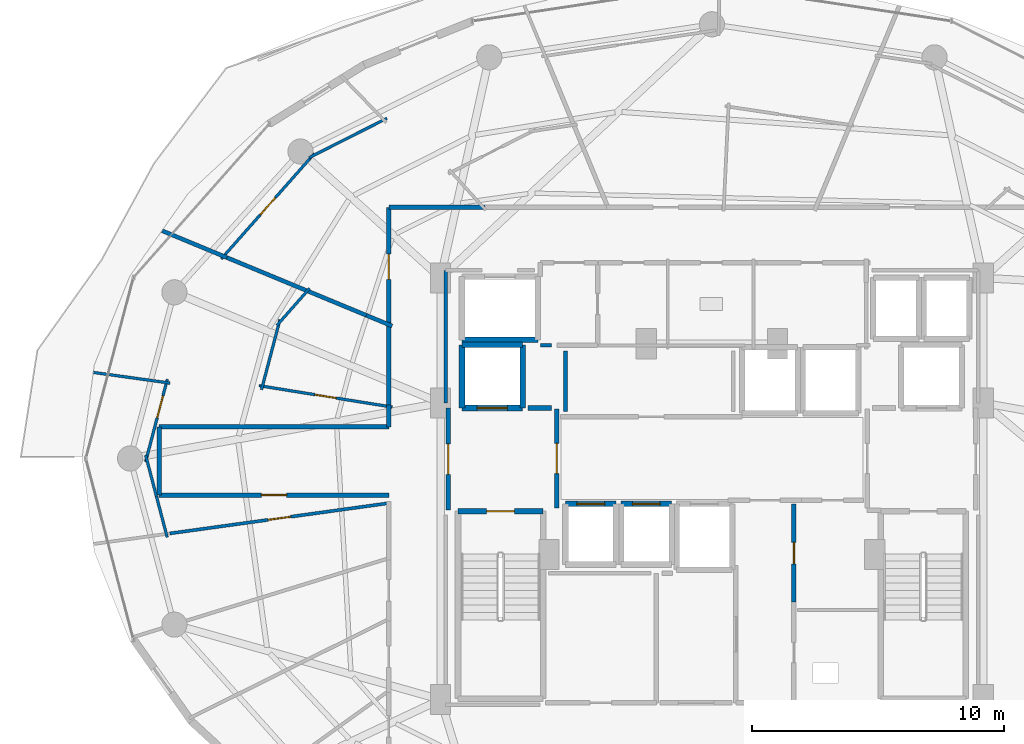
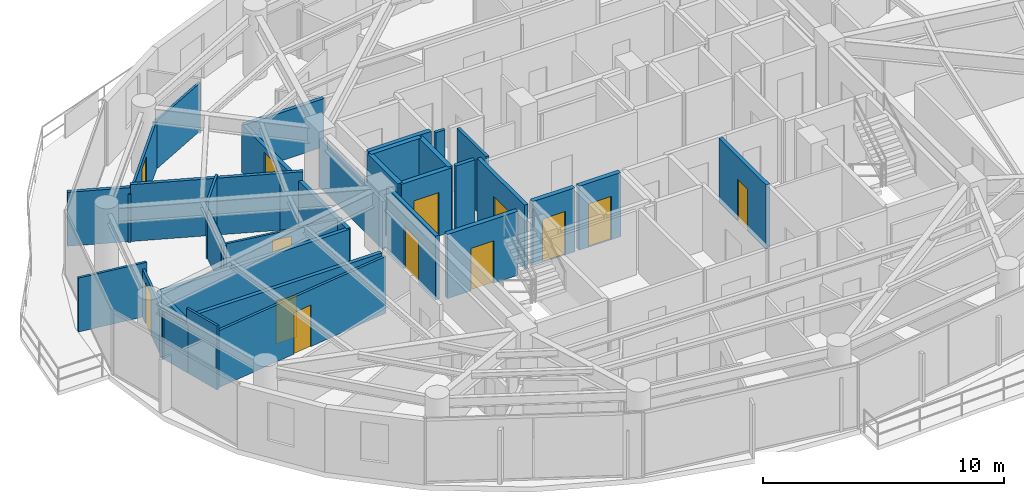
# One storey, part 22 of 29: 35 walls, 13 doors, 13 openings.
"""IFC4 building model written with IfcOpenShell, lengths in metres."""

from ifc_helpers import new_model, si_unit, direction, frame, frame_2d, origin, place, context, subcontext, project, spatial, rectangle, extrude, material, layer, layer_set, type_object, element, fill, save


model = new_model("IFC4")

# Units and contexts
model_context = context("Model", 3, precision=1e-05, world=origin(), true_north=direction((0.0, 1.0)))
body_context = subcontext(model_context, "Body", "Model", "MODEL_VIEW")
ifc_project = project(units=[si_unit("LENGTHUNIT", "METRE"), si_unit("AREAUNIT", "SQUARE_METRE"), si_unit("VOLUMEUNIT", "CUBIC_METRE"), si_unit("PLANEANGLEUNIT", "RADIAN"), si_unit("MASSUNIT", "GRAM", prefix="KILO")], contexts=[model_context])

# Site, building, storey
site_placement = place(None, origin())
site = spatial("IfcSite", under=ifc_project, at=site_placement, CompositionType="ELEMENT")
building_placement = place(site_placement, origin())
building = spatial("IfcBuilding", under=site, at=building_placement, Name="Vorneva Point Tower", CompositionType="ELEMENT")
storey_placement = place(building_placement, frame((0.0, 0.0, 167.60009765625)))
storey = spatial("IfcBuildingStorey", under=building, at=storey_placement, Name="L45", CompositionType="ELEMENT", Elevation=167.60009765625)

# Wall, opening, door
ifc_material_1 = material(Name="Concrete B60 (C50/60)", Category="concrete")
ifc_layer_1 = layer(ifc_material_1, 0.5)
ifc_layer_set_1 = layer_set([ifc_layer_1], Name="Concrete B60 (C50/60)")
wall_type_1 = type_object("IfcWallType", Name="WL-CORE-500", PredefinedType="SHEAR", material=ifc_layer_set_1)
wall_1_placement = place(storey_placement, frame((28.10009765625, 28.0, 0.0), z_axis=(0.0, 0.0, 1.0), x_axis=(1.0, 0.0, 0.0)))
wall_1 = element("IfcWall", 1, at=wall_1_placement, inside=storey, type_object=wall_type_1, Name="L45 Lift FFL1 Shaft Wall -Y", PredefinedType="SHEAR", context=body_context, shape_type="SweptSolid", body=[
    extrude(rectangle(XDim=2.39990234375, YDim=0.219970703125, at=frame_2d((1.199951171875, 0.0))), origin(), (0.0, 0.0, 1.0), 3.239990234375),
])
opening_1_placement = place(wall_1_placement, frame((0.60009765625, 0.0, 0.0)))
opening_1 = element("IfcOpeningElement", 2, at=opening_1_placement, cuts=wall_1, Name="Opening LD-02", PredefinedType="OPENING", context=body_context, shape_type="SweptSolid", body=[
    extrude(rectangle(XDim=1.199951171875, YDim=2.199951171875, at=frame_2d((0.60009765625, 1.10009765625))), frame((0.0, 0.125, 0.0), z_axis=(0.0, -1.0, 0.0), x_axis=(1.0, 0.0, 0.0)), (0.0, 0.0, 1.0), 0.249755859375),
])
ifc_material_2 = material(Name="Brushed stainless steel S304", Category="steel")
door_type_1 = type_object("IfcDoorType", Name="LD-FIRE-1200", OperationType="SLIDING_TO_LEFT", PredefinedType="DOOR", material=ifc_material_2)
door_1_placement = place(opening_1_placement, origin())
door_1 = element("IfcDoor", 3, at=door_1_placement, inside=storey, type_object=door_type_1, Name="L45 Lift FFL1 Sliding Landing Door", OperationType="SLIDING_TO_LEFT", OverallHeight=2.199951171875, OverallWidth=1.199951171875, PredefinedType="DOOR", context=body_context, shape_type="SweptSolid", body=[
    extrude(rectangle(XDim=1.199951171875, YDim=2.199951171875, at=frame_2d((0.60009765625, 1.10009765625))), frame((0.0, 0.02490234375, 0.0), z_axis=(0.0, -1.0, 0.0), x_axis=(1.0, 0.0, 0.0)), (0.0, 0.0, 1.0), 0.050048828125),
])
fill(opening_1, door_1)

# Walls
wall_2_placement = place(storey_placement, frame((30.5, 28.0, 0.0), z_axis=(0.0, 0.0, 1.0), x_axis=(0.0, 1.0, 0.0)))
element("IfcWall", 4, at=wall_2_placement, inside=storey, type_object=wall_type_1, Name="L45 Lift FFL1 Shaft Wall +X", PredefinedType="SHEAR", context=body_context, shape_type="SweptSolid", body=[
    extrude(rectangle(XDim=2.5, YDim=0.219970703125, at=frame_2d((1.25, 0.0))), origin(), (0.0, 0.0, 1.0), 3.239990234375),
])
wall_3_placement = place(storey_placement, frame((30.5, 30.5, 0.0), z_axis=(0.0, 0.0, 1.0), x_axis=(-1.0, 0.0, 0.0)))
element("IfcWall", 5, at=wall_3_placement, inside=storey, type_object=wall_type_1, Name="L45 Lift FFL1 Shaft Wall +Y", PredefinedType="SHEAR", context=body_context, shape_type="SweptSolid", body=[
    extrude(rectangle(XDim=2.39990234375, YDim=0.219970703125, at=frame_2d((1.199951171875, 0.0))), origin(), (0.0, 0.0, 1.0), 3.239990234375),
])
wall_4_placement = place(storey_placement, frame((28.10009765625, 30.5, 0.0), z_axis=(0.0, 0.0, 1.0), x_axis=(0.0, -1.0, 0.0)))
element("IfcWall", 6, at=wall_4_placement, inside=storey, type_object=wall_type_1, Name="L45 Lift FFL1 Shaft Wall -X", PredefinedType="SHEAR", context=body_context, shape_type="SweptSolid", body=[
    extrude(rectangle(XDim=2.5, YDim=0.219970703125, at=frame_2d((1.25, 0.0))), origin(), (0.0, 0.0, 1.0), 3.239990234375),
])
ifc_material_3 = material(Name="Fire-rated acoustic gypsum stud partition", Category="gypsum")
ifc_layer_2 = layer(ifc_material_3, 0.110107421875)
ifc_layer_set_2 = layer_set([ifc_layer_2], Name="Fire-rated acoustic gypsum stud partition")
wall_type_2 = type_object("IfcWallType", Name="WL-PART-110", PredefinedType="PARTITIONING", material=ifc_layer_set_2)
wall_5_placement = place(storey_placement, frame((25.1259765625, 39.477294921875, 0.0), z_axis=(0.0, 0.0, 1.0), x_axis=(-0.892387252946, -0.451270418683, 0.0)))
element("IfcWall", 7, at=wall_5_placement, inside=storey, type_object=wall_type_2, Name="L45 Interior Partition 081", PredefinedType="PARTITIONING", context=body_context, shape_type="SweptSolid", body=[
    extrude(rectangle(XDim=3.46240234375, YDim=0.110107421875, at=frame_2d((1.731201171875, 0.0))), origin(), (0.0, 0.0, 1.0), 2.431884765625),
])

# Wall, opening, door
wall_6_placement = place(storey_placement, frame((22.253662109375, 38.0830078125, 0.0), z_axis=(0.0, 0.0, 1.0), x_axis=(-0.66219665239, -0.749330096529, 0.0)))
wall_6 = element("IfcWall", 8, at=wall_6_placement, inside=storey, type_object=wall_type_2, Name="L45 Interior Partition 082", PredefinedType="PARTITIONING", context=body_context, shape_type="SweptSolid", body=[
    extrude(rectangle(XDim=5.572998046875, YDim=0.110107421875, at=frame_2d((2.78662109375, 0.0))), origin(), (0.0, 0.0, 1.0), 2.431884765625),
])
opening_2_placement = place(wall_6_placement, frame((2.33642578125, 0.0, 0.0)))
opening_2 = element("IfcOpeningElement", 9, at=opening_2_placement, cuts=wall_6, Name="Opening ID-01", PredefinedType="OPENING", context=body_context, shape_type="SweptSolid", body=[
    extrude(rectangle(XDim=0.89990234375, YDim=2.10009765625, at=frame_2d((0.449951171875, 1.050048828125))), frame((0.0, 0.06982421875, 0.0), z_axis=(0.0, -1.0, 0.0), x_axis=(1.0, 0.0, 0.0)), (0.0, 0.0, 1.0), 0.139892578125),
])
ifc_material_4 = material(Name="Engineered oak fire-rated door leaf", Category="wood")
door_type_2 = type_object("IfcDoorType", Name="DR-ROOM-900", OperationType="NOTDEFINED", PredefinedType="DOOR", material=ifc_material_4)
door_2_placement = place(opening_2_placement, origin())
door_2 = element("IfcDoor", 10, at=door_2_placement, inside=storey, type_object=door_type_2, Name="L45 Door Studio Apartment L45-03 / Kitchen L45-03", OperationType="SINGLE_SWING_RIGHT", OverallHeight=2.10009765625, OverallWidth=0.89990234375, PredefinedType="DOOR", context=body_context, shape_type="SweptSolid", body=[
    extrude(rectangle(XDim=0.89990234375, YDim=2.10009765625, at=frame_2d((0.449951171875, 1.050048828125))), frame((0.0, 0.02490234375, 0.0), z_axis=(0.0, -1.0, 0.0), x_axis=(1.0, 0.0, 0.0)), (0.0, 0.0, 1.0), 0.050048828125),
])
fill(opening_2, door_2)

wall_7_placement = place(storey_placement, frame((25.338134765625, 28.035888671875, 0.0), z_axis=(0.0, 0.0, 1.0), x_axis=(-0.987323350325, 0.158721775139, 0.0)))
wall_7 = element("IfcWall", 11, at=wall_7_placement, inside=storey, type_object=wall_type_2, Name="L45 Interior Partition 086", PredefinedType="PARTITIONING", context=body_context, shape_type="SweptSolid", body=[
    extrude(rectangle(XDim=5.351318359375, YDim=0.110107421875, at=frame_2d((2.67578125, 0.0))), origin(), (0.0, 0.0, 1.0), 2.431884765625),
])
opening_3_placement = place(wall_7_placement, frame((2.25048828125, 0.0, 0.0)))
opening_3 = element("IfcOpeningElement", 12, at=opening_3_placement, cuts=wall_7, Name="Opening ID-02", PredefinedType="OPENING", context=body_context, shape_type="SweptSolid", body=[
    extrude(rectangle(XDim=0.85009765625, YDim=2.10009765625, at=frame_2d((0.425048828125, 1.050048828125))), frame((0.0, 0.06982421875, 0.0), z_axis=(0.0, -1.0, 0.0), x_axis=(1.0, 0.0, 0.0)), (0.0, 0.0, 1.0), 0.139892578125),
])
door_type_3 = type_object("IfcDoorType", Name="DR-BATH-850", OperationType="NOTDEFINED", PredefinedType="DOOR", material=ifc_material_4)
door_3_placement = place(opening_3_placement, origin())
door_3 = element("IfcDoor", 13, at=door_3_placement, inside=storey, type_object=door_type_3, Name="L45 Door Living and Dining Room L45-04 / Bathroom L45-04", OperationType="SINGLE_SWING_LEFT", OverallHeight=2.10009765625, OverallWidth=0.85009765625, PredefinedType="DOOR", context=body_context, shape_type="SweptSolid", body=[
    extrude(rectangle(XDim=0.85009765625, YDim=2.10009765625, at=frame_2d((0.425048828125, 1.050048828125))), frame((0.0, 0.02490234375, 0.0), z_axis=(0.0, -1.0, 0.0), x_axis=(1.0, 0.0, 0.0)), (0.0, 0.0, 1.0), 0.050048828125),
])
fill(opening_3, door_3)

# Walls
wall_8_placement = place(storey_placement, frame((20.157470703125, 28.7275390625, 0.0), z_axis=(0.0, 0.0, 1.0), x_axis=(0.254472387963, 0.967080039999, 0.0)))
element("IfcWall", 14, at=wall_8_placement, inside=storey, type_object=wall_type_2, Name="L45 Interior Partition 087", PredefinedType="PARTITIONING", context=body_context, shape_type="SweptSolid", body=[
    extrude(rectangle(XDim=2.873291015625, YDim=0.110107421875, at=frame_2d((1.4365234375, 0.0))), origin(), (0.0, 0.0, 1.0), 2.431884765625),
])
wall_9_placement = place(storey_placement, frame((20.76025390625, 31.26611328125, 0.0), z_axis=(0.0, 0.0, 1.0), x_axis=(0.662014950831, 0.749490630279, 0.0)))
element("IfcWall", 15, at=wall_9_placement, inside=storey, type_object=wall_type_2, Name="L45 Interior Partition 088", PredefinedType="PARTITIONING", context=body_context, shape_type="SweptSolid", body=[
    extrude(rectangle(XDim=1.970458984375, YDim=0.110107421875, at=frame_2d((0.9853515625, 0.0))), origin(), (0.0, 0.0, 1.0), 2.928955078125),
])

# Wall, opening, door
wall_10_placement = place(storey_placement, frame((16.426513671875, 29.141357421875, 0.0), z_axis=(0.0, 0.0, 1.0), x_axis=(-0.254418818964, -0.967094134279, 0.0)))
wall_10 = element("IfcWall", 16, at=wall_10_placement, inside=storey, type_object=wall_type_2, Name="L45 Interior Partition 089", PredefinedType="PARTITIONING", context=body_context, shape_type="SweptSolid", body=[
    extrude(rectangle(XDim=3.388427734375, YDim=0.110107421875, at=frame_2d((1.6943359375, 0.0))), origin(), (0.0, 0.0, 1.0), 2.431884765625),
])
opening_4_placement = place(wall_10_placement, frame((0.68408203125, 0.0, 0.0)))
opening_4 = element("IfcOpeningElement", 17, at=opening_4_placement, cuts=wall_10, Name="Opening ID-01", PredefinedType="OPENING", context=body_context, shape_type="SweptSolid", body=[
    extrude(rectangle(XDim=0.89990234375, YDim=2.10009765625, at=frame_2d((0.449951171875, 1.050048828125))), frame((0.0, 0.06982421875, 0.0), z_axis=(0.0, -1.0, 0.0), x_axis=(1.0, 0.0, 0.0)), (0.0, 0.0, 1.0), 0.139892578125),
])
door_4_placement = place(opening_4_placement, origin())
door_4 = element("IfcDoor", 18, at=door_4_placement, inside=storey, type_object=door_type_2, Name="L45 Door Living and Dining Room L45-04 / Kitchen L45-04", OperationType="SINGLE_SWING_RIGHT", OverallHeight=2.10009765625, OverallWidth=0.89990234375, PredefinedType="DOOR", context=body_context, shape_type="SweptSolid", body=[
    extrude(rectangle(XDim=0.89990234375, YDim=2.10009765625, at=frame_2d((0.449951171875, 1.050048828125))), frame((0.0, 0.02490234375, 0.0), z_axis=(0.0, -1.0, 0.0), x_axis=(1.0, 0.0, 0.0)), (0.0, 0.0, 1.0), 0.050048828125),
])
fill(opening_4, door_4)

# Walls
wall_11_placement = place(storey_placement, frame((15.564453125, 26.135498046875, 0.0), z_axis=(0.0, 0.0, 1.0), x_axis=(0.254207281438, -0.967149759894, 0.0)))
element("IfcWall", 19, at=wall_11_placement, inside=storey, type_object=wall_type_2, Name="L45 Interior Partition 090", PredefinedType="PARTITIONING", context=body_context, shape_type="SweptSolid", body=[
    extrude(rectangle(XDim=1.6806640625, YDim=0.110107421875, at=frame_2d((0.84033203125, 0.0))), origin(), (0.0, 0.0, 1.0), 2.431884765625),
])
wall_12_placement = place(storey_placement, frame((15.96484375, 24.61279296875, 0.0), z_axis=(0.0, 0.0, 1.0), x_axis=(0.254285908831, -0.96712908992, 0.0)))
element("IfcWall", 20, at=wall_12_placement, inside=storey, type_object=wall_type_2, Name="L45 Interior Partition 091", PredefinedType="PARTITIONING", context=body_context, shape_type="SweptSolid", body=[
    extrude(rectangle(XDim=1.79638671875, YDim=0.110107421875, at=frame_2d((0.898193359375, 0.0))), origin(), (0.0, 0.0, 1.0), 3.239990234375),
])
wall_13_placement = place(storey_placement, frame((13.50341796875, 29.408203125, 0.0), z_axis=(0.0, 0.0, 1.0), x_axis=(0.990445036815, -0.137908045623, 0.0)))
element("IfcWall", 21, at=wall_13_placement, inside=storey, type_object=wall_type_2, Name="L45 Interior Partition 093", PredefinedType="PARTITIONING", context=body_context, shape_type="SweptSolid", body=[
    extrude(rectangle(XDim=3.0556640625, YDim=0.110107421875, at=frame_2d((1.52783203125, 0.0))), origin(), (0.0, 0.0, 1.0), 2.727783203125),
])

# Wall, opening, door
ifc_layer_3 = layer(ifc_material_3, 0.125)
ifc_layer_set_3 = layer_set([ifc_layer_3], Name="Fire-rated acoustic gypsum stud partition")
wall_type_3 = type_object("IfcWallType", Name="WL-PART-125", PredefinedType="PARTITIONING", material=ifc_layer_set_3)
wall_14_placement = place(storey_placement, frame((16.524658203125, 23.030029296875, 0.0), z_axis=(0.0, 0.0, 1.0), x_axis=(0.990569142752, 0.137013770941, 0.0)))
wall_14 = element("IfcWall", 22, at=wall_14_placement, inside=storey, type_object=wall_type_3, Name="L45 Interior Partition 094", PredefinedType="PARTITIONING", context=body_context, shape_type="SweptSolid", body=[
    extrude(rectangle(XDim=8.7578125, YDim=0.125, at=frame_2d((4.37890625, 0.0))), origin(), (0.0, 0.0, 1.0), 2.8740234375),
])
opening_5_placement = place(wall_14_placement, frame((3.928955078125, 0.0, 0.0)))
opening_5 = element("IfcOpeningElement", 23, at=opening_5_placement, cuts=wall_14, Name="Opening ID-01", PredefinedType="OPENING", context=body_context, shape_type="SweptSolid", body=[
    extrude(rectangle(XDim=0.89990234375, YDim=2.10009765625, at=frame_2d((0.449951171875, 1.050048828125))), frame((0.0, 0.077392578125, 0.0), z_axis=(0.0, -1.0, 0.0), x_axis=(1.0, 0.0, 0.0)), (0.0, 0.0, 1.0), 0.15478515625),
])
door_5_placement = place(opening_5_placement, origin())
door_5 = element("IfcDoor", 24, at=door_5_placement, inside=storey, type_object=door_type_2, Name="L45 Door Living and Dining Room L45-04 / Master Bedroom L45-04.1", OperationType="SINGLE_SWING_LEFT", OverallHeight=2.10009765625, OverallWidth=0.89990234375, PredefinedType="DOOR", context=body_context, shape_type="SweptSolid", body=[
    extrude(rectangle(XDim=0.89990234375, YDim=2.10009765625, at=frame_2d((0.449951171875, 1.050048828125))), frame((0.0, 0.02490234375, 0.0), z_axis=(0.0, -1.0, 0.0), x_axis=(1.0, 0.0, 0.0)), (0.0, 0.0, 1.0), 0.050048828125),
])
fill(opening_5, door_5)

# Walls
ifc_layer_4 = layer(ifc_material_3, 0.139892578125)
ifc_layer_set_4 = layer_set([ifc_layer_4], Name="Fire-rated acoustic gypsum stud partition")
wall_type_4 = type_object("IfcWallType", Name="WL-PART-140", PredefinedType="PARTITIONING", material=ifc_layer_set_4)
wall_15_placement = place(storey_placement, frame((31.199951171875, 30.47998046875, 0.0), z_axis=(0.0, 0.0, 1.0), x_axis=(1.0, 0.0, 0.0)))
element("IfcWall", 25, at=wall_15_placement, inside=storey, type_object=wall_type_4, Name="L45 Interior Closure Partition 114", PredefinedType="PARTITIONING", context=body_context, shape_type="SweptSolid", body=[
    extrude(rectangle(XDim=0.449951171875, YDim=0.139892578125, at=frame_2d((0.22509765625, 0.0))), origin(), (0.0, 0.0, 1.0), 3.239990234375),
])
wall_16_placement = place(storey_placement, frame((32.199951171875, 30.260009765625, 0.0), z_axis=(0.0, 0.0, 1.0), x_axis=(0.0, -1.0, 0.0)))
element("IfcWall", 26, at=wall_16_placement, inside=storey, type_object=wall_type_4, Name="L45 Interior Closure Partition 119", PredefinedType="PARTITIONING", context=body_context, shape_type="SweptSolid", body=[
    extrude(rectangle(XDim=2.389892578125, YDim=0.139892578125, at=frame_2d((1.19482421875, 0.0))), origin(), (0.0, 0.0, 1.0), 3.239990234375),
])
wall_17_placement = place(storey_placement, frame((27.449951171875, 33.449951171875, 0.0), z_axis=(0.0, 0.0, 1.0), x_axis=(0.0, -1.0, 0.0)))
element("IfcWall", 27, at=wall_17_placement, inside=storey, type_object=wall_type_4, Name="L45 Interior Closure Partition 126", PredefinedType="PARTITIONING", context=body_context, shape_type="SweptSolid", body=[
    extrude(rectangle(XDim=5.25390625, YDim=0.139892578125, at=frame_2d((2.626953125, 0.0))), origin(), (0.0, 0.0, 1.0), 2.431884765625),
])
ifc_layer_5 = layer(ifc_material_3, 0.159912109375)
ifc_layer_set_5 = layer_set([ifc_layer_5], Name="Fire-rated acoustic gypsum stud partition")
wall_type_5 = type_object("IfcWallType", Name="WL-PART-160", PredefinedType="PARTITIONING", material=ifc_layer_set_5)
wall_18_placement = place(storey_placement, frame((18.656005859375, 34.011962890625, 0.0), z_axis=(0.0, 0.0, 1.0), x_axis=(0.923899894496, -0.382634270486, 0.0)))
element("IfcWall", 28, at=wall_18_placement, inside=storey, type_object=wall_type_5, Name="L45 Interior Partition 083", PredefinedType="PARTITIONING", context=body_context, shape_type="SweptSolid", body=[
    extrude(rectangle(XDim=6.25927734375, YDim=0.159912109375, at=frame_2d((3.129638671875, 0.0))), origin(), (0.0, 0.0, 1.0), 2.8740234375),
])
wall_19_placement = place(storey_placement, frame((24.309814453125, 31.670654296875, 0.0), z_axis=(0.0, 0.0, 1.0), x_axis=(0.923860433634, -0.38272953788, 0.0)))
element("IfcWall", 29, at=wall_19_placement, inside=storey, type_object=wall_type_5, Name="L45 Interior Partition 084", PredefinedType="PARTITIONING", context=body_context, shape_type="SweptSolid", body=[
    extrude(rectangle(XDim=1.103515625, YDim=0.159912109375, at=frame_2d((0.5517578125, 0.0))), origin(), (0.0, 0.0, 1.0), 2.8740234375),
])
wall_20_placement = place(storey_placement, frame((16.2255859375, 35.0185546875, 0.0), z_axis=(0.0, 0.0, 1.0), x_axis=(0.923911593246, -0.382606021733, 0.0)))
element("IfcWall", 30, at=wall_20_placement, inside=storey, type_object=wall_type_5, Name="L45 Interior Partition 085", PredefinedType="PARTITIONING", context=body_context, shape_type="SweptSolid", body=[
    extrude(rectangle(XDim=2.7705078125, YDim=0.159912109375, at=frame_2d((1.38525390625, 0.0))), origin(), (0.0, 0.0, 1.0), 2.727783203125),
])

# Wall, opening, door
ifc_material_5 = material(Name="Autoclaved aerated concrete blockwork", Category="masonry")
ifc_layer_6 = layer(ifc_material_5, 0.179931640625)
ifc_layer_set_6 = layer_set([ifc_layer_6], Name="Autoclaved aerated concrete blockwork")
wall_type_6 = type_object("IfcWallType", Name="WL-PART-180", PredefinedType="PARTITIONING", material=ifc_layer_set_6)
wall_21_placement = place(storey_placement, frame((31.85009765625, 24.044921875, 0.0), z_axis=(0.0, 0.0, 1.0), x_axis=(0.0, 1.0, 0.0)))
wall_21 = element("IfcWall", 31, at=wall_21_placement, inside=storey, type_object=wall_type_6, Name="L45 Interior Partition 001", PredefinedType="PARTITIONING", context=body_context, shape_type="SweptSolid", body=[
    extrude(rectangle(XDim=3.91015625, YDim=0.179931640625, at=frame_2d((1.955078125, 0.0))), origin(), (0.0, 0.0, 1.0), 3.239990234375),
])
opening_6_placement = place(wall_21_placement, frame((1.35498046875, 0.0, 0.0)))
opening_6 = element("IfcOpeningElement", 32, at=opening_6_placement, cuts=wall_21, Name="Opening FD-02", PredefinedType="OPENING", context=body_context, shape_type="SweptSolid", body=[
    extrude(rectangle(XDim=1.199951171875, YDim=2.14990234375, at=frame_2d((0.60009765625, 1.074951171875))), frame((0.0, 0.10498046875, 0.0), z_axis=(0.0, -1.0, 0.0), x_axis=(1.0, 0.0, 0.0)), (0.0, 0.0, 1.0), 0.209716796875),
])
ifc_material_6 = material(Name="Fire-rated powder-coated steel", Category="steel")
door_type_4 = type_object("IfcDoorType", Name="DR-FFL-1200", OperationType="NOTDEFINED", PredefinedType="DOOR", material=ifc_material_6)
door_6_placement = place(opening_6_placement, origin())
door_6 = element("IfcDoor", 33, at=door_6_placement, inside=storey, type_object=door_type_4, Name="L45 Door West Firefighting Lobby / Central Lift Lobby", OperationType="SINGLE_SWING_RIGHT", OverallHeight=2.14990234375, OverallWidth=1.199951171875, PredefinedType="DOOR", context=body_context, shape_type="SweptSolid", body=[
    extrude(rectangle(XDim=1.199951171875, YDim=2.14990234375, at=frame_2d((0.60009765625, 1.074951171875))), frame((0.0, 0.02490234375, 0.0), z_axis=(0.0, -1.0, 0.0), x_axis=(1.0, 0.0, 0.0)), (0.0, 0.0, 1.0), 0.050048828125),
])
fill(opening_6, door_6)

wall_22_placement = place(storey_placement, frame((27.550048828125, 28.0, 0.0), z_axis=(0.0, 0.0, 1.0), x_axis=(0.0, -1.0, 0.0)))
wall_22 = element("IfcWall", 34, at=wall_22_placement, inside=storey, type_object=wall_type_6, Name="L45 Interior Partition 002", PredefinedType="PARTITIONING", context=body_context, shape_type="SweptSolid", body=[
    extrude(rectangle(XDim=4.050048828125, YDim=0.179931640625, at=frame_2d((2.02490234375, 0.0))), origin(), (0.0, 0.0, 1.0), 3.239990234375),
])
opening_7_placement = place(wall_22_placement, frame((1.425048828125, 0.0, 0.0)))
opening_7 = element("IfcOpeningElement", 35, at=opening_7_placement, cuts=wall_22, Name="Opening FD-02", PredefinedType="OPENING", context=body_context, shape_type="SweptSolid", body=[
    extrude(rectangle(XDim=1.199951171875, YDim=2.14990234375, at=frame_2d((0.60009765625, 1.074951171875))), frame((0.0, 0.10498046875, 0.0), z_axis=(0.0, -1.0, 0.0), x_axis=(1.0, 0.0, 0.0)), (0.0, 0.0, 1.0), 0.209716796875),
])
door_7_placement = place(opening_7_placement, origin())
door_7 = element("IfcDoor", 36, at=door_7_placement, inside=storey, type_object=door_type_4, Name="L45 Door West Firefighting Lobby / L45 Circulation Corridor", OperationType="SINGLE_SWING_RIGHT", OverallHeight=2.14990234375, OverallWidth=1.199951171875, PredefinedType="DOOR", context=body_context, shape_type="SweptSolid", body=[
    extrude(rectangle(XDim=1.199951171875, YDim=2.14990234375, at=frame_2d((0.60009765625, 1.074951171875))), frame((0.0, 0.02490234375, 0.0), z_axis=(0.0, -1.0, 0.0), x_axis=(1.0, 0.0, 0.0)), (0.0, 0.0, 1.0), 0.050048828125),
])
fill(opening_7, door_7)

wall_23_placement = place(storey_placement, frame((41.25, 20.304931640625, 0.0), z_axis=(0.0, 0.0, 1.0), x_axis=(0.0, 1.0, 0.0)))
wall_23 = element("IfcWall", 37, at=wall_23_placement, inside=storey, type_object=wall_type_6, Name="L45 Interior Partition 014", PredefinedType="PARTITIONING", context=body_context, shape_type="SweptSolid", body=[
    extrude(rectangle(XDim=3.89501953125, YDim=0.179931640625, at=frame_2d((1.947509765625, 0.0))), origin(), (0.0, 0.0, 1.0), 3.239990234375),
])
opening_8_placement = place(wall_23_placement, frame((1.5224609375, 0.0, 0.0)))
opening_8 = element("IfcOpeningElement", 38, at=opening_8_placement, cuts=wall_23, Name="Opening ID-02", PredefinedType="OPENING", context=body_context, shape_type="SweptSolid", body=[
    extrude(rectangle(XDim=0.85009765625, YDim=2.10009765625, at=frame_2d((0.425048828125, 1.050048828125))), frame((0.0, 0.10498046875, 0.0), z_axis=(0.0, -1.0, 0.0), x_axis=(1.0, 0.0, 0.0)), (0.0, 0.0, 1.0), 0.209716796875),
])
door_8_placement = place(opening_8_placement, origin())
door_8 = element("IfcDoor", 39, at=door_8_placement, inside=storey, type_object=door_type_3, Name="L45 Door Core Service Lobby / Valet and Parcel Room", OperationType="SINGLE_SWING_RIGHT", OverallHeight=2.10009765625, OverallWidth=0.85009765625, PredefinedType="DOOR", context=body_context, shape_type="SweptSolid", body=[
    extrude(rectangle(XDim=0.85009765625, YDim=2.10009765625, at=frame_2d((0.425048828125, 1.050048828125))), frame((0.0, 0.02490234375, 0.0), z_axis=(0.0, -1.0, 0.0), x_axis=(1.0, 0.0, 0.0)), (0.0, 0.0, 1.0), 0.050048828125),
])
fill(opening_8, door_8)

# Wall
wall_24_placement = place(storey_placement, frame((29.006103515625, 35.949951171875, 0.0), z_axis=(0.0, 0.0, 1.0), x_axis=(-1.0, 0.0, 0.0)))
element("IfcWall", 40, at=wall_24_placement, inside=storey, type_object=wall_type_6, Name="L45 Interior Partition 035", PredefinedType="PARTITIONING", context=body_context, shape_type="SweptSolid", body=[
    extrude(rectangle(XDim=3.80615234375, YDim=0.179931640625, at=frame_2d((1.903076171875, 0.0))), origin(), (0.0, 0.0, 1.0), 2.431884765625),
])

# Wall, opening, door
wall_25_placement = place(storey_placement, frame((25.199951171875, 35.949951171875, 0.0), z_axis=(0.0, 0.0, 1.0), x_axis=(0.0, -1.0, 0.0)))
wall_25 = element("IfcWall", 41, at=wall_25_placement, inside=storey, type_object=wall_type_6, Name="L45 Interior Partition 036", PredefinedType="PARTITIONING", context=body_context, shape_type="SweptSolid", body=[
    extrude(rectangle(XDim=4.7080078125, YDim=0.179931640625, at=frame_2d((2.35400390625, 0.0))), origin(), (0.0, 0.0, 1.0), 2.431884765625),
])
opening_9_placement = place(wall_25_placement, frame((1.85400390625, 0.0, 0.0)))
opening_9 = element("IfcOpeningElement", 42, at=opening_9_placement, cuts=wall_25, Name="Opening UD-01", PredefinedType="OPENING", context=body_context, shape_type="SweptSolid", body=[
    extrude(rectangle(XDim=1.0, YDim=2.14990234375, at=frame_2d((0.5, 1.074951171875))), frame((0.0, 0.10498046875, 0.0), z_axis=(0.0, -1.0, 0.0), x_axis=(1.0, 0.0, 0.0)), (0.0, 0.0, 1.0), 0.209716796875),
])
door_type_5 = type_object("IfcDoorType", Name="DR-UNIT-1000", OperationType="NOTDEFINED", PredefinedType="DOOR", material=ifc_material_4)
door_9_placement = place(opening_9_placement, origin())
door_9 = element("IfcDoor", 43, at=door_9_placement, inside=storey, type_object=door_type_5, Name="L45 Door L45 Circulation Corridor / Studio Apartment L45-03", OperationType="SINGLE_SWING_LEFT", OverallHeight=2.14990234375, OverallWidth=1.0, PredefinedType="DOOR", context=body_context, shape_type="SweptSolid", body=[
    extrude(rectangle(XDim=1.0, YDim=2.14990234375, at=frame_2d((0.5, 1.074951171875))), frame((0.0, 0.02490234375, 0.0), z_axis=(0.0, -1.0, 0.0), x_axis=(1.0, 0.0, 0.0)), (0.0, 0.0, 1.0), 0.050048828125),
])
fill(opening_9, door_9)

# Wall
wall_26_placement = place(storey_placement, frame((16.10009765625, 27.25, 0.0), z_axis=(0.0, 0.0, 1.0), x_axis=(0.0, -1.0, 0.0)))
element("IfcWall", 44, at=wall_26_placement, inside=storey, type_object=wall_type_6, Name="L45 Interior Partition 038", PredefinedType="PARTITIONING", context=body_context, shape_type="SweptSolid", body=[
    extrude(rectangle(XDim=2.699951171875, YDim=0.179931640625, at=frame_2d((1.35009765625, 0.0))), origin(), (0.0, 0.0, 1.0), 2.431884765625),
])

# Wall, opening, door
wall_27_placement = place(storey_placement, frame((16.10009765625, 24.550048828125, 0.0), z_axis=(0.0, 0.0, 1.0), x_axis=(1.0, 0.0, 0.0)))
wall_27 = element("IfcWall", 45, at=wall_27_placement, inside=storey, type_object=wall_type_6, Name="L45 Interior Partition 039", PredefinedType="PARTITIONING", context=body_context, shape_type="SweptSolid", body=[
    extrude(rectangle(XDim=9.099853515625, YDim=0.179931640625, at=frame_2d((4.5498046875, 0.0))), origin(), (0.0, 0.0, 1.0), 2.8740234375),
])
opening_10_placement = place(wall_27_placement, frame((4.050048828125, 0.0, 0.0)))
opening_10 = element("IfcOpeningElement", 46, at=opening_10_placement, cuts=wall_27, Name="Opening UD-01", PredefinedType="OPENING", context=body_context, shape_type="SweptSolid", body=[
    extrude(rectangle(XDim=1.0, YDim=2.14990234375, at=frame_2d((0.5, 1.074951171875))), frame((0.0, 0.10498046875, 0.0), z_axis=(0.0, -1.0, 0.0), x_axis=(1.0, 0.0, 0.0)), (0.0, 0.0, 1.0), 0.209716796875),
])
door_10_placement = place(opening_10_placement, origin())
door_10 = element("IfcDoor", 47, at=door_10_placement, inside=storey, type_object=door_type_5, Name="L45 Door L45 Circulation Corridor / Living and Dining Room L45-04", OperationType="SINGLE_SWING_RIGHT", OverallHeight=2.14990234375, OverallWidth=1.0, PredefinedType="DOOR", context=body_context, shape_type="SweptSolid", body=[
    extrude(rectangle(XDim=1.0, YDim=2.14990234375, at=frame_2d((0.5, 1.074951171875))), frame((0.0, 0.02490234375, 0.0), z_axis=(0.0, -1.0, 0.0), x_axis=(1.0, 0.0, 0.0)), (0.0, 0.0, 1.0), 0.050048828125),
])
fill(opening_10, door_10)

# Walls
wall_28_placement = place(storey_placement, frame((25.199951171875, 28.118896484375, 0.0), z_axis=(0.0, 0.0, 1.0), x_axis=(0.0, -1.0, 0.0)))
element("IfcWall", 48, at=wall_28_placement, inside=storey, type_object=wall_type_6, Name="L45 Interior Partition 040", PredefinedType="PARTITIONING", context=body_context, shape_type="SweptSolid", body=[
    extrude(rectangle(XDim=0.868896484375, YDim=0.179931640625, at=frame_2d((0.4345703125, 0.0))), origin(), (0.0, 0.0, 1.0), 2.431884765625),
])
wall_29_placement = place(storey_placement, frame((25.199951171875, 27.25, 0.0), z_axis=(0.0, 0.0, 1.0), x_axis=(-1.0, 0.0, 0.0)))
element("IfcWall", 49, at=wall_29_placement, inside=storey, type_object=wall_type_6, Name="L45 Interior Partition 041", PredefinedType="PARTITIONING", context=body_context, shape_type="SweptSolid", body=[
    extrude(rectangle(XDim=9.099853515625, YDim=0.179931640625, at=frame_2d((4.5498046875, 0.0))), origin(), (0.0, 0.0, 1.0), 2.431884765625),
])
wall_30_placement = place(storey_placement, frame((25.199951171875, 31.382080078125, 0.0), z_axis=(0.0, 0.0, 1.0), x_axis=(0.0, -1.0, 0.0)))
element("IfcWall", 50, at=wall_30_placement, inside=storey, type_object=wall_type_6, Name="L45 Interior Partition 042", PredefinedType="PARTITIONING", context=body_context, shape_type="SweptSolid", body=[
    extrude(rectangle(XDim=3.403076171875, YDim=0.179931640625, at=frame_2d((1.70166015625, 0.0))), origin(), (0.0, 0.0, 1.0), 2.431884765625),
])
wall_31_placement = place(storey_placement, frame((31.635009765625, 28.0, 0.0), z_axis=(0.0, 0.0, 1.0), x_axis=(-1.0, 0.0, 0.0)))
element("IfcWall", 51, at=wall_31_placement, inside=storey, type_object=wall_type_6, Name="L45 Interior Closure Partition 112", PredefinedType="PARTITIONING", context=body_context, shape_type="SweptSolid", body=[
    extrude(rectangle(XDim=0.9150390625, YDim=0.179931640625, at=frame_2d((0.45751953125, 0.0))), origin(), (0.0, 0.0, 1.0), 3.239990234375),
])

# Wall, opening, door
ifc_material_7 = material(Name="Concrete B50 (C40/50)", Category="concrete")
ifc_layer_7 = layer(ifc_material_7, 0.219970703125)
ifc_layer_set_7 = layer_set([ifc_layer_7], Name="Concrete B50 (C40/50)")
wall_type_7 = type_object("IfcWallType", Name="WL-SHFT-220", PredefinedType="SOLIDWALL", material=ifc_layer_set_7)
wall_32_placement = place(storey_placement, frame((27.93994140625, 23.909912109375, 0.0), z_axis=(0.0, 0.0, 1.0), x_axis=(1.0, 0.0, 0.0)))
wall_32 = element("IfcWall", 52, at=wall_32_placement, inside=storey, type_object=wall_type_7, Name="L45 Exit Stair ST1 Shaft Wall near", PredefinedType="SOLIDWALL", context=body_context, shape_type="SweptSolid", body=[
    extrude(rectangle(XDim=3.3701171875, YDim=0.219970703125, at=frame_2d((1.68505859375, 0.0))), origin(), (0.0, 0.0, 1.0), 3.239990234375),
])
opening_11_placement = place(wall_32_placement, frame((1.135009765625, 0.0, 0.0)))
opening_11 = element("IfcOpeningElement", 53, at=opening_11_placement, cuts=wall_32, Name="Opening FD-01", PredefinedType="OPENING", context=body_context, shape_type="SweptSolid", body=[
    extrude(rectangle(XDim=1.10009765625, YDim=2.14990234375, at=frame_2d((0.550048828125, 1.074951171875))), frame((0.0, 0.125, 0.0), z_axis=(0.0, -1.0, 0.0), x_axis=(1.0, 0.0, 0.0)), (0.0, 0.0, 1.0), 0.249755859375),
])
door_type_6 = type_object("IfcDoorType", Name="DR-STAIR-1100", OperationType="NOTDEFINED", PredefinedType="DOOR", material=ifc_material_6)
door_11_placement = place(opening_11_placement, origin())
door_11 = element("IfcDoor", 54, at=door_11_placement, inside=storey, type_object=door_type_6, Name="L45 Exit Stair ST1 Fire Door", OperationType="SINGLE_SWING_LEFT", OverallHeight=2.14990234375, OverallWidth=1.10009765625, PredefinedType="DOOR", context=body_context, shape_type="SweptSolid", body=[
    extrude(rectangle(XDim=1.10009765625, YDim=2.14990234375, at=frame_2d((0.550048828125, 1.074951171875))), frame((0.0, 0.02490234375, 0.0), z_axis=(0.0, -1.0, 0.0), x_axis=(1.0, 0.0, 0.0)), (0.0, 0.0, 1.0), 0.050048828125),
])
fill(opening_11, door_11)

wall_33_placement = place(storey_placement, frame((34.199951171875, 24.199951171875, 0.0), z_axis=(0.0, 0.0, 1.0), x_axis=(-1.0, 0.0, 0.0)))
wall_33 = element("IfcWall", 55, at=wall_33_placement, inside=storey, type_object=wall_type_7, Name="L45 Lift PL4 Shaft Wall +Y", PredefinedType="SOLIDWALL", context=body_context, shape_type="SweptSolid", body=[
    extrude(rectangle(XDim=2.0, YDim=0.219970703125, at=frame_2d((1.0, 0.0))), origin(), (0.0, 0.0, 1.0), 3.239990234375),
])
opening_12_placement = place(wall_33_placement, frame((0.449951171875, 0.0, 0.0)))
opening_12 = element("IfcOpeningElement", 56, at=opening_12_placement, cuts=wall_33, Name="Opening LD-01", PredefinedType="OPENING", context=body_context, shape_type="SweptSolid", body=[
    extrude(rectangle(XDim=1.10009765625, YDim=2.199951171875, at=frame_2d((0.550048828125, 1.10009765625))), frame((0.0, 0.125, 0.0), z_axis=(0.0, -1.0, 0.0), x_axis=(1.0, 0.0, 0.0)), (0.0, 0.0, 1.0), 0.249755859375),
])
door_type_7 = type_object("IfcDoorType", Name="LD-PASS-1100", OperationType="SLIDING_TO_LEFT", PredefinedType="DOOR", material=ifc_material_2)
door_12_placement = place(opening_12_placement, origin())
door_12 = element("IfcDoor", 57, at=door_12_placement, inside=storey, type_object=door_type_7, Name="L45 Lift PL4 Sliding Landing Door", OperationType="SLIDING_TO_LEFT", OverallHeight=2.199951171875, OverallWidth=1.10009765625, PredefinedType="DOOR", context=body_context, shape_type="SweptSolid", body=[
    extrude(rectangle(XDim=1.10009765625, YDim=2.199951171875, at=frame_2d((0.550048828125, 1.10009765625))), frame((0.0, 0.02490234375, 0.0), z_axis=(0.0, -1.0, 0.0), x_axis=(1.0, 0.0, 0.0)), (0.0, 0.0, 1.0), 0.050048828125),
])
fill(opening_12, door_12)

wall_34_placement = place(storey_placement, frame((36.39990234375, 24.199951171875, 0.0), z_axis=(0.0, 0.0, 1.0), x_axis=(-1.0, 0.0, 0.0)))
wall_34 = element("IfcWall", 58, at=wall_34_placement, inside=storey, type_object=wall_type_7, Name="L45 Lift PL5 Shaft Wall +Y", PredefinedType="SOLIDWALL", context=body_context, shape_type="SweptSolid", body=[
    extrude(rectangle(XDim=2.0, YDim=0.219970703125, at=frame_2d((1.0, 0.0))), origin(), (0.0, 0.0, 1.0), 3.239990234375),
])
opening_13_placement = place(wall_34_placement, frame((0.449951171875, 0.0, 0.0)))
opening_13 = element("IfcOpeningElement", 59, at=opening_13_placement, cuts=wall_34, Name="Opening LD-01", PredefinedType="OPENING", context=body_context, shape_type="SweptSolid", body=[
    extrude(rectangle(XDim=1.10009765625, YDim=2.199951171875, at=frame_2d((0.550048828125, 1.10009765625))), frame((0.0, 0.125, 0.0), z_axis=(0.0, -1.0, 0.0), x_axis=(1.0, 0.0, 0.0)), (0.0, 0.0, 1.0), 0.249755859375),
])
door_13_placement = place(opening_13_placement, origin())
door_13 = element("IfcDoor", 60, at=door_13_placement, inside=storey, type_object=door_type_7, Name="L45 Lift PL5 Sliding Landing Door", OperationType="SLIDING_TO_LEFT", OverallHeight=2.199951171875, OverallWidth=1.10009765625, PredefinedType="DOOR", context=body_context, shape_type="SweptSolid", body=[
    extrude(rectangle(XDim=1.10009765625, YDim=2.199951171875, at=frame_2d((0.550048828125, 1.10009765625))), frame((0.0, 0.02490234375, 0.0), z_axis=(0.0, -1.0, 0.0), x_axis=(1.0, 0.0, 0.0)), (0.0, 0.0, 1.0), 0.050048828125),
])
fill(opening_13, door_13)

# Wall
wall_35_placement = place(storey_placement, frame((28.10009765625, 30.699951171875, 0.0), z_axis=(0.0, 0.0, 1.0), x_axis=(1.0, 0.0, 0.0)))
element("IfcWall", 61, at=wall_35_placement, inside=storey, type_object=wall_type_7, Name="L45 Lift SVL1 Shaft Wall -Y", PredefinedType="SOLIDWALL", context=body_context, shape_type="SweptSolid", body=[
    extrude(rectangle(XDim=3.0, YDim=0.219970703125, at=frame_2d((1.5, 0.0))), origin(), (0.0, 0.0, 1.0), 3.239990234375),
])

save(model, "model.ifc")
